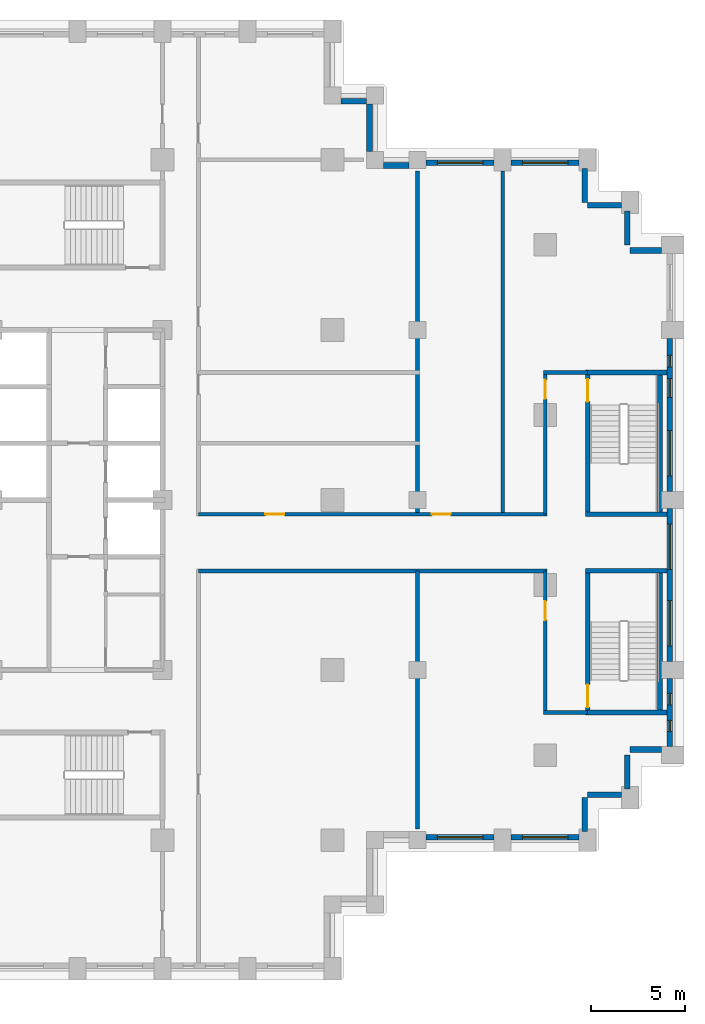
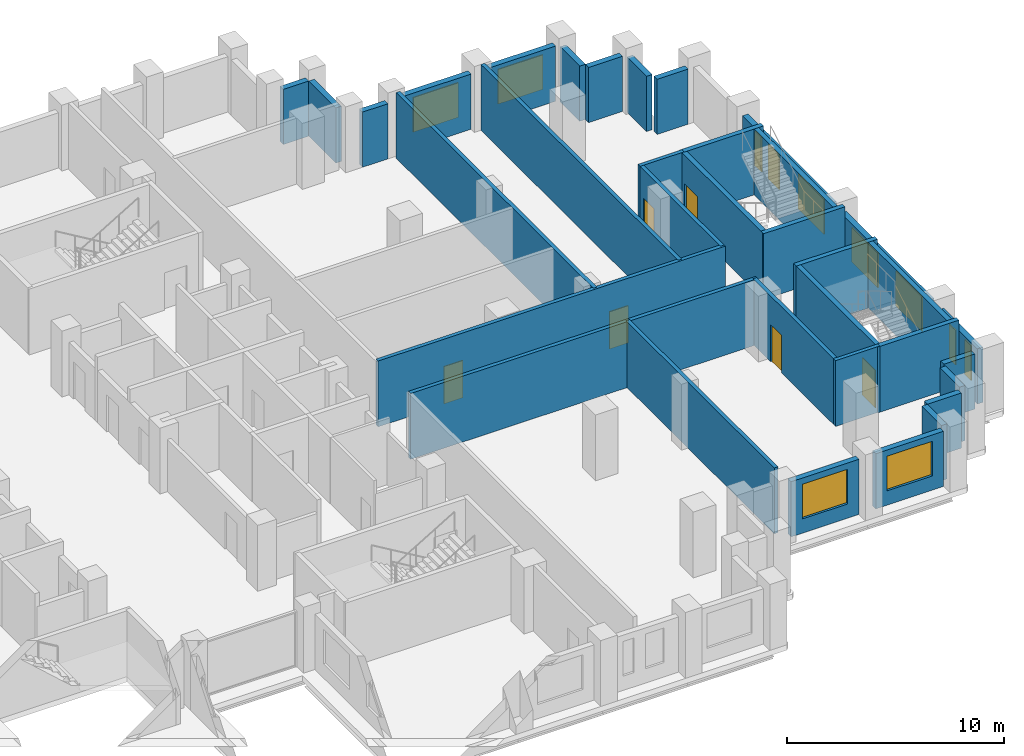
# One storey, part 11 of 15: 35 walls, 11 windows, 6 doors, 17 openings.
"""IFC4 building model written with IfcOpenShell, lengths in metres."""

from ifc_helpers import new_model, si_unit, direction, frame, frame_2d, origin, place, context, subcontext, project, spatial, rectangle, extrude, material, layer, layer_set, type_object, element, fill, save


model = new_model("IFC4")

# Units and contexts
model_context = context("Model", 3, precision=1e-05, world=origin(), true_north=direction((0.0, 1.0)))
body_context = subcontext(model_context, "Body", "Model", "MODEL_VIEW")
ifc_project = project(units=[si_unit("LENGTHUNIT", "METRE"), si_unit("AREAUNIT", "SQUARE_METRE"), si_unit("VOLUMEUNIT", "CUBIC_METRE"), si_unit("PLANEANGLEUNIT", "RADIAN"), si_unit("MASSUNIT", "GRAM", prefix="KILO")], contexts=[model_context])

# Site, building, storey
site_placement = place(None, origin())
site = spatial("IfcSite", under=ifc_project, at=site_placement, CompositionType="ELEMENT")
building_placement = place(site_placement, origin())
building = spatial("IfcBuilding", under=site, at=building_placement, Name="Corbelhall Arena Tower", CompositionType="ELEMENT")
storey_placement = place(building_placement, frame((0.0, 0.0, 80.0)))
storey = spatial("IfcBuildingStorey", under=building, at=storey_placement, Name="L12", CompositionType="ELEMENT", Elevation=80.0)

# Walls
ifc_material_1 = material(Name="Precast concrete C40/50 with granite facing", Category="masonry")
ifc_layer_1 = layer(ifc_material_1, 0.300048828125)
ifc_layer_set_1 = layer_set([ifc_layer_1], Name="EV-IW1 Infill panel 300")
wall_type_1 = type_object("IfcWallType", Name="EV-IW1 Infill panel 300", PredefinedType="SOLIDWALL", material=ifc_layer_set_1)
for number, where, z_axis, x_axis, name in (
    (1, (35.85009765625, -17.550048828125, 0.0), (0.0, 0.0, 1.0), (0.0, 1.0, 0.0), "Infill panel IW1"),
    (2, (37.800048828125, -15.60009765625, 0.0), (0.0, 0.0, 1.0), (-1.0, 0.0, 0.0), "Infill panel IW1"),
    (3, (38.10009765625, -15.300048828125, 0.0), (0.0, 0.0, 1.0), (0.0, 1.0, 0.0), "Infill panel IW1"),
):
    element("IfcWall", number, at=place(storey_placement, frame(where, z_axis=z_axis, x_axis=x_axis)), inside=storey, type_object=wall_type_1, Name=name, PredefinedType="SOLIDWALL", context=body_context, shape_type="SweptSolid", body=[
        extrude(rectangle(XDim=1.800048828125, YDim=0.300048828125, at=frame_2d((0.89990234375, 0.0))), origin(), (0.0, 0.0, 1.0), 3.10009765625),
    ])
for number, where, z_axis, x_axis, name in (
    (4, (39.89990234375, -13.199951171875, 0.0), (0.0, 0.0, 1.0), (-1.0, 0.0, 0.0), "Infill panel IW1"),
    (5, (39.89990234375, 13.199951171875, 0.0), (0.0, 0.0, 1.0), (-1.0, 0.0, 0.0), "Infill panel IW1"),
):
    element("IfcWall", number, at=place(storey_placement, frame(where, z_axis=z_axis, x_axis=x_axis)), inside=storey, type_object=wall_type_1, Name=name, PredefinedType="SOLIDWALL", context=body_context, shape_type="SweptSolid", body=[
        extrude(rectangle(XDim=1.64990234375, YDim=0.300048828125, at=frame_2d((0.824951171875, 0.0))), origin(), (0.0, 0.0, 1.0), 3.10009765625),
    ])
for number, where, z_axis, x_axis, name in (
    (6, (38.10009765625, 15.300048828125, 0.0), (0.0, 0.0, 1.0), (0.0, -1.0, 0.0), "Infill panel IW1"),
    (7, (37.800048828125, 15.60009765625, 0.0), (0.0, 0.0, 1.0), (-1.0, 0.0, 0.0), "Infill panel IW1"),
    (8, (35.85009765625, 17.550048828125, 0.0), (0.0, 0.0, 1.0), (0.0, -1.0, 0.0), "Infill panel IW1"),
):
    element("IfcWall", number, at=place(storey_placement, frame(where, z_axis=z_axis, x_axis=x_axis)), inside=storey, type_object=wall_type_1, Name=name, PredefinedType="SOLIDWALL", context=body_context, shape_type="SweptSolid", body=[
        extrude(rectangle(XDim=1.800048828125, YDim=0.300048828125, at=frame_2d((0.89990234375, 0.0))), origin(), (0.0, 0.0, 1.0), 3.10009765625),
    ])

# Wall, opening, window
wall_1_placement = place(storey_placement, frame((27.449951171875, -17.85009765625, 0.0), z_axis=(0.0, 0.0, 1.0), x_axis=(1.0, 0.0, 0.0)))
wall_1 = element("IfcWall", 9, at=wall_1_placement, inside=storey, type_object=wall_type_1, Name="Infill panel IW1", PredefinedType="SOLIDWALL", context=body_context, shape_type="SweptSolid", body=[
    extrude(rectangle(XDim=3.60009765625, YDim=0.300048828125, at=frame_2d((1.800048828125, 0.0))), origin(), (0.0, 0.0, 1.0), 3.10009765625),
])
opening_1_placement = place(wall_1_placement, frame((0.60009765625, 0.0, 0.800048828125)))
opening_1 = element("IfcOpeningElement", 10, at=opening_1_placement, cuts=wall_1, Name="Opening WN1", PredefinedType="OPENING", context=body_context, shape_type="SweptSolid", body=[
    extrude(rectangle(XDim=2.39990234375, YDim=1.949951171875, at=frame_2d((1.199951171875, 0.97509765625))), frame((0.0, 0.14990234375, 0.0), z_axis=(0.0, -1.0, 0.0), x_axis=(1.0, 0.0, 0.0)), (0.0, 0.0, 1.0), 0.300048828125),
])
ifc_material_2 = material(Name="Aluminium black anodised", Category="aluminium")
window_type_1 = type_object("IfcWindowType", Name="EV-WN1 Office window", PartitioningType="SINGLE_PANEL", PredefinedType="WINDOW", material=ifc_material_2)
window_1_placement = place(opening_1_placement, origin())
window_1 = element("IfcWindow", 11, at=window_1_placement, inside=storey, type_object=window_type_1, Name="Window WN1", OverallHeight=1.949951171875, OverallWidth=2.39990234375, PartitioningType="SINGLE_PANEL", PredefinedType="WINDOW", context=body_context, shape_type="SweptSolid", body=[
    extrude(rectangle(XDim=2.39990234375, YDim=1.949951171875, at=frame_2d((1.199951171875, 0.97509765625))), frame((0.0, 0.030029296875, 0.0), z_axis=(0.0, -1.0, 0.0), x_axis=(1.0, 0.0, 0.0)), (0.0, 0.0, 1.0), 0.06005859375),
])
fill(opening_1, window_1)

wall_2_placement = place(storey_placement, frame((31.949951171875, -17.85009765625, 0.0), z_axis=(0.0, 0.0, 1.0), x_axis=(1.0, 0.0, 0.0)))
wall_2 = element("IfcWall", 12, at=wall_2_placement, inside=storey, type_object=wall_type_1, Name="Infill panel IW1", PredefinedType="SOLIDWALL", context=body_context, shape_type="SweptSolid", body=[
    extrude(rectangle(XDim=3.60009765625, YDim=0.300048828125, at=frame_2d((1.800048828125, 0.0))), origin(), (0.0, 0.0, 1.0), 3.10009765625),
])
opening_2_placement = place(wall_2_placement, frame((0.60009765625, 0.0, 0.800048828125)))
opening_2 = element("IfcOpeningElement", 13, at=opening_2_placement, cuts=wall_2, Name="Opening WN1", PredefinedType="OPENING", context=body_context, shape_type="SweptSolid", body=[
    extrude(rectangle(XDim=2.39990234375, YDim=1.949951171875, at=frame_2d((1.199951171875, 0.97509765625))), frame((0.0, 0.14990234375, 0.0), z_axis=(0.0, -1.0, 0.0), x_axis=(1.0, 0.0, 0.0)), (0.0, 0.0, 1.0), 0.300048828125),
])
window_2_placement = place(opening_2_placement, origin())
window_2 = element("IfcWindow", 14, at=window_2_placement, inside=storey, type_object=window_type_1, Name="Window WN1", OverallHeight=1.949951171875, OverallWidth=2.39990234375, PartitioningType="SINGLE_PANEL", PredefinedType="WINDOW", context=body_context, shape_type="SweptSolid", body=[
    extrude(rectangle(XDim=2.39990234375, YDim=1.949951171875, at=frame_2d((1.199951171875, 0.97509765625))), frame((0.0, 0.030029296875, 0.0), z_axis=(0.0, -1.0, 0.0), x_axis=(1.0, 0.0, 0.0)), (0.0, 0.0, 1.0), 0.06005859375),
])
fill(opening_2, window_2)

# Wall, openings, windows
wall_3_placement = place(storey_placement, frame((40.35009765625, -13.050048828125, 0.0), z_axis=(0.0, 0.0, 1.0), x_axis=(0.0, 1.0, 0.0)))
wall_3 = element("IfcWall", 15, at=wall_3_placement, inside=storey, type_object=wall_type_1, Name="Infill panel IW1", PredefinedType="SOLIDWALL", context=body_context, shape_type="SweptSolid", body=[
    extrude(rectangle(XDim=3.60009765625, YDim=0.300048828125, at=frame_2d((1.800048828125, 0.0))), origin(), (0.0, 0.0, 1.0), 3.10009765625),
])
opening_3_placement = place(wall_3_placement, frame((0.78759765625, 0.0, 0.800048828125)))
opening_3 = element("IfcOpeningElement", 16, at=opening_3_placement, cuts=wall_3, Name="Opening WN5", PredefinedType="OPENING", context=body_context, shape_type="SweptSolid", body=[
    extrude(rectangle(XDim=0.60009765625, YDim=1.949951171875, at=frame_2d((0.300048828125, 0.97509765625))), frame((0.0, 0.14990234375, 0.0), z_axis=(0.0, -1.0, 0.0), x_axis=(1.0, 0.0, 0.0)), (0.0, 0.0, 1.0), 0.300048828125),
])
opening_4_placement = place(wall_3_placement, frame((2.21240234375, 0.0, 0.800048828125)))
opening_4 = element("IfcOpeningElement", 17, at=opening_4_placement, cuts=wall_3, Name="Opening WN5", PredefinedType="OPENING", context=body_context, shape_type="SweptSolid", body=[
    extrude(rectangle(XDim=0.60009765625, YDim=1.949951171875, at=frame_2d((0.300048828125, 0.97509765625))), frame((0.0, 0.14990234375, 0.0), z_axis=(0.0, -1.0, 0.0), x_axis=(1.0, 0.0, 0.0)), (0.0, 0.0, 1.0), 0.300048828125),
])
window_type_2 = type_object("IfcWindowType", Name="EV-WN5 Office window 600", PartitioningType="SINGLE_PANEL", PredefinedType="WINDOW", material=ifc_material_2)
window_3_placement = place(opening_3_placement, origin())
window_3 = element("IfcWindow", 18, at=window_3_placement, inside=storey, type_object=window_type_2, Name="Window WN5", OverallHeight=1.949951171875, OverallWidth=0.60009765625, PartitioningType="SINGLE_PANEL", PredefinedType="WINDOW", context=body_context, shape_type="SweptSolid", body=[
    extrude(rectangle(XDim=0.60009765625, YDim=1.949951171875, at=frame_2d((0.300048828125, 0.97509765625))), frame((0.0, 0.030029296875, 0.0), z_axis=(0.0, -1.0, 0.0), x_axis=(1.0, 0.0, 0.0)), (0.0, 0.0, 1.0), 0.06005859375),
])
fill(opening_3, window_3)
window_4_placement = place(opening_4_placement, origin())
window_4 = element("IfcWindow", 19, at=window_4_placement, inside=storey, type_object=window_type_2, Name="Window WN5", OverallHeight=1.949951171875, OverallWidth=0.60009765625, PartitioningType="SINGLE_PANEL", PredefinedType="WINDOW", context=body_context, shape_type="SweptSolid", body=[
    extrude(rectangle(XDim=0.60009765625, YDim=1.949951171875, at=frame_2d((0.300048828125, 0.97509765625))), frame((0.0, 0.030029296875, 0.0), z_axis=(0.0, -1.0, 0.0), x_axis=(1.0, 0.0, 0.0)), (0.0, 0.0, 1.0), 0.06005859375),
])
fill(opening_4, window_4)

wall_4_placement = place(storey_placement, frame((40.35009765625, -8.550048828125, 0.0), z_axis=(0.0, 0.0, 1.0), x_axis=(0.0, 1.0, 0.0)))
wall_4 = element("IfcWall", 20, at=wall_4_placement, inside=storey, type_object=wall_type_1, Name="Infill panel IW1", PredefinedType="SOLIDWALL", context=body_context, shape_type="SweptSolid", body=[
    extrude(rectangle(XDim=8.10009765625, YDim=0.300048828125, at=frame_2d((4.050048828125, 0.0))), origin(), (0.0, 0.0, 1.0), 3.10009765625),
])
opening_5_placement = place(wall_4_placement, frame((0.824951171875, 0.0, 0.800048828125)))
opening_5 = element("IfcOpeningElement", 21, at=opening_5_placement, cuts=wall_4, Name="Opening WN1", PredefinedType="OPENING", context=body_context, shape_type="SweptSolid", body=[
    extrude(rectangle(XDim=2.39990234375, YDim=1.949951171875, at=frame_2d((1.199951171875, 0.97509765625))), frame((0.0, 0.14990234375, 0.0), z_axis=(0.0, -1.0, 0.0), x_axis=(1.0, 0.0, 0.0)), (0.0, 0.0, 1.0), 0.300048828125),
])
opening_6_placement = place(wall_4_placement, frame((4.875, 0.0, 0.800048828125)))
opening_6 = element("IfcOpeningElement", 22, at=opening_6_placement, cuts=wall_4, Name="Opening WN1", PredefinedType="OPENING", context=body_context, shape_type="SweptSolid", body=[
    extrude(rectangle(XDim=2.39990234375, YDim=1.949951171875, at=frame_2d((1.199951171875, 0.97509765625))), frame((0.0, 0.14990234375, 0.0), z_axis=(0.0, -1.0, 0.0), x_axis=(1.0, 0.0, 0.0)), (0.0, 0.0, 1.0), 0.300048828125),
])
window_5_placement = place(opening_5_placement, origin())
window_5 = element("IfcWindow", 23, at=window_5_placement, inside=storey, type_object=window_type_1, Name="Window WN1", OverallHeight=1.949951171875, OverallWidth=2.39990234375, PartitioningType="SINGLE_PANEL", PredefinedType="WINDOW", context=body_context, shape_type="SweptSolid", body=[
    extrude(rectangle(XDim=2.39990234375, YDim=1.949951171875, at=frame_2d((1.199951171875, 0.97509765625))), frame((0.0, 0.030029296875, 0.0), z_axis=(0.0, -1.0, 0.0), x_axis=(1.0, 0.0, 0.0)), (0.0, 0.0, 1.0), 0.06005859375),
])
fill(opening_5, window_5)
window_6_placement = place(opening_6_placement, origin())
window_6 = element("IfcWindow", 24, at=window_6_placement, inside=storey, type_object=window_type_1, Name="Window WN1", OverallHeight=1.949951171875, OverallWidth=2.39990234375, PartitioningType="SINGLE_PANEL", PredefinedType="WINDOW", context=body_context, shape_type="SweptSolid", body=[
    extrude(rectangle(XDim=2.39990234375, YDim=1.949951171875, at=frame_2d((1.199951171875, 0.97509765625))), frame((0.0, 0.030029296875, 0.0), z_axis=(0.0, -1.0, 0.0), x_axis=(1.0, 0.0, 0.0)), (0.0, 0.0, 1.0), 0.06005859375),
])
fill(opening_6, window_6)

wall_5_placement = place(storey_placement, frame((40.35009765625, 0.449951171875, 0.0), z_axis=(0.0, 0.0, 1.0), x_axis=(0.0, 1.0, 0.0)))
wall_5 = element("IfcWall", 25, at=wall_5_placement, inside=storey, type_object=wall_type_1, Name="Infill panel IW1", PredefinedType="SOLIDWALL", context=body_context, shape_type="SweptSolid", body=[
    extrude(rectangle(XDim=8.10009765625, YDim=0.300048828125, at=frame_2d((4.050048828125, 0.0))), origin(), (0.0, 0.0, 1.0), 3.10009765625),
])
opening_7_placement = place(wall_5_placement, frame((0.824951171875, 0.0, 0.800048828125)))
opening_7 = element("IfcOpeningElement", 26, at=opening_7_placement, cuts=wall_5, Name="Opening WN1", PredefinedType="OPENING", context=body_context, shape_type="SweptSolid", body=[
    extrude(rectangle(XDim=2.39990234375, YDim=1.949951171875, at=frame_2d((1.199951171875, 0.97509765625))), frame((0.0, 0.14990234375, 0.0), z_axis=(0.0, -1.0, 0.0), x_axis=(1.0, 0.0, 0.0)), (0.0, 0.0, 1.0), 0.300048828125),
])
opening_8_placement = place(wall_5_placement, frame((4.97509765625, 0.0, 0.800048828125)))
opening_8 = element("IfcOpeningElement", 27, at=opening_8_placement, cuts=wall_5, Name="Opening WN6", PredefinedType="OPENING", context=body_context, shape_type="SweptSolid", body=[
    extrude(rectangle(XDim=1.0, YDim=1.949951171875, at=frame_2d((0.5, 0.97509765625))), frame((0.0, 0.14990234375, 0.0), z_axis=(0.0, -1.0, 0.0), x_axis=(1.0, 0.0, 0.0)), (0.0, 0.0, 1.0), 0.300048828125),
])
opening_9_placement = place(wall_5_placement, frame((6.60009765625, 0.0, 0.800048828125)))
opening_9 = element("IfcOpeningElement", 28, at=opening_9_placement, cuts=wall_5, Name="Opening WN5", PredefinedType="OPENING", context=body_context, shape_type="SweptSolid", body=[
    extrude(rectangle(XDim=0.60009765625, YDim=1.949951171875, at=frame_2d((0.300048828125, 0.97509765625))), frame((0.0, 0.14990234375, 0.0), z_axis=(0.0, -1.0, 0.0), x_axis=(1.0, 0.0, 0.0)), (0.0, 0.0, 1.0), 0.300048828125),
])
window_7_placement = place(opening_7_placement, origin())
window_7 = element("IfcWindow", 29, at=window_7_placement, inside=storey, type_object=window_type_1, Name="Window WN1", OverallHeight=1.949951171875, OverallWidth=2.39990234375, PartitioningType="SINGLE_PANEL", PredefinedType="WINDOW", context=body_context, shape_type="SweptSolid", body=[
    extrude(rectangle(XDim=2.39990234375, YDim=1.949951171875, at=frame_2d((1.199951171875, 0.97509765625))), frame((0.0, 0.030029296875, 0.0), z_axis=(0.0, -1.0, 0.0), x_axis=(1.0, 0.0, 0.0)), (0.0, 0.0, 1.0), 0.06005859375),
])
fill(opening_7, window_7)
window_8_placement = place(opening_9_placement, origin())
window_8 = element("IfcWindow", 30, at=window_8_placement, inside=storey, type_object=window_type_2, Name="Window WN5", OverallHeight=1.949951171875, OverallWidth=0.60009765625, PartitioningType="SINGLE_PANEL", PredefinedType="WINDOW", context=body_context, shape_type="SweptSolid", body=[
    extrude(rectangle(XDim=0.60009765625, YDim=1.949951171875, at=frame_2d((0.300048828125, 0.97509765625))), frame((0.0, 0.030029296875, 0.0), z_axis=(0.0, -1.0, 0.0), x_axis=(1.0, 0.0, 0.0)), (0.0, 0.0, 1.0), 0.06005859375),
])
fill(opening_9, window_8)
window_type_3 = type_object("IfcWindowType", Name="EV-WN6 Office window 1000", PartitioningType="SINGLE_PANEL", PredefinedType="WINDOW", material=ifc_material_2)
window_9_placement = place(opening_8_placement, origin())
window_9 = element("IfcWindow", 31, at=window_9_placement, inside=storey, type_object=window_type_3, Name="Window WN6", OverallHeight=1.949951171875, OverallWidth=1.0, PartitioningType="SINGLE_PANEL", PredefinedType="WINDOW", context=body_context, shape_type="SweptSolid", body=[
    extrude(rectangle(XDim=1.0, YDim=1.949951171875, at=frame_2d((0.5, 0.97509765625))), frame((0.0, 0.030029296875, 0.0), z_axis=(0.0, -1.0, 0.0), x_axis=(1.0, 0.0, 0.0)), (0.0, 0.0, 1.0), 0.06005859375),
])
fill(opening_8, window_9)

# Wall, opening, window
wall_6_placement = place(storey_placement, frame((35.550048828125, 17.85009765625, 0.0), z_axis=(0.0, 0.0, 1.0), x_axis=(-1.0, 0.0, 0.0)))
wall_6 = element("IfcWall", 32, at=wall_6_placement, inside=storey, type_object=wall_type_1, Name="Infill panel IW1", PredefinedType="SOLIDWALL", context=body_context, shape_type="SweptSolid", body=[
    extrude(rectangle(XDim=3.60009765625, YDim=0.300048828125, at=frame_2d((1.800048828125, 0.0))), origin(), (0.0, 0.0, 1.0), 3.10009765625),
])
opening_10_placement = place(wall_6_placement, frame((0.60009765625, 0.0, 0.800048828125)))
opening_10 = element("IfcOpeningElement", 33, at=opening_10_placement, cuts=wall_6, Name="Opening WN1", PredefinedType="OPENING", context=body_context, shape_type="SweptSolid", body=[
    extrude(rectangle(XDim=2.39990234375, YDim=1.949951171875, at=frame_2d((1.199951171875, 0.97509765625))), frame((0.0, 0.14990234375, 0.0), z_axis=(0.0, -1.0, 0.0), x_axis=(1.0, 0.0, 0.0)), (0.0, 0.0, 1.0), 0.300048828125),
])
window_10_placement = place(opening_10_placement, origin())
window_10 = element("IfcWindow", 34, at=window_10_placement, inside=storey, type_object=window_type_1, Name="Window WN1", OverallHeight=1.949951171875, OverallWidth=2.39990234375, PartitioningType="SINGLE_PANEL", PredefinedType="WINDOW", context=body_context, shape_type="SweptSolid", body=[
    extrude(rectangle(XDim=2.39990234375, YDim=1.949951171875, at=frame_2d((1.199951171875, 0.97509765625))), frame((0.0, 0.030029296875, 0.0), z_axis=(0.0, -1.0, 0.0), x_axis=(1.0, 0.0, 0.0)), (0.0, 0.0, 1.0), 0.06005859375),
])
fill(opening_10, window_10)

wall_7_placement = place(storey_placement, frame((31.050048828125, 17.85009765625, 0.0), z_axis=(0.0, 0.0, 1.0), x_axis=(-1.0, 0.0, 0.0)))
wall_7 = element("IfcWall", 35, at=wall_7_placement, inside=storey, type_object=wall_type_1, Name="Infill panel IW1", PredefinedType="SOLIDWALL", context=body_context, shape_type="SweptSolid", body=[
    extrude(rectangle(XDim=3.60009765625, YDim=0.300048828125, at=frame_2d((1.800048828125, 0.0))), origin(), (0.0, 0.0, 1.0), 3.10009765625),
])
opening_11_placement = place(wall_7_placement, frame((0.60009765625, 0.0, 0.800048828125)))
opening_11 = element("IfcOpeningElement", 36, at=opening_11_placement, cuts=wall_7, Name="Opening WN1", PredefinedType="OPENING", context=body_context, shape_type="SweptSolid", body=[
    extrude(rectangle(XDim=2.39990234375, YDim=1.949951171875, at=frame_2d((1.199951171875, 0.97509765625))), frame((0.0, 0.14990234375, 0.0), z_axis=(0.0, -1.0, 0.0), x_axis=(1.0, 0.0, 0.0)), (0.0, 0.0, 1.0), 0.300048828125),
])
window_11_placement = place(opening_11_placement, origin())
window_11 = element("IfcWindow", 37, at=window_11_placement, inside=storey, type_object=window_type_1, Name="Window WN1", OverallHeight=1.949951171875, OverallWidth=2.39990234375, PartitioningType="SINGLE_PANEL", PredefinedType="WINDOW", context=body_context, shape_type="SweptSolid", body=[
    extrude(rectangle(XDim=2.39990234375, YDim=1.949951171875, at=frame_2d((1.199951171875, 0.97509765625))), frame((0.0, 0.030029296875, 0.0), z_axis=(0.0, -1.0, 0.0), x_axis=(1.0, 0.0, 0.0)), (0.0, 0.0, 1.0), 0.06005859375),
])
fill(opening_11, window_11)

# Walls
wall_8_placement = place(storey_placement, frame((26.550048828125, 17.699951171875, 0.0), z_axis=(0.0, 0.0, 1.0), x_axis=(-1.0, 0.0, 0.0)))
element("IfcWall", 38, at=wall_8_placement, inside=storey, type_object=wall_type_1, Name="Infill panel IW1", PredefinedType="SOLIDWALL", context=body_context, shape_type="SweptSolid", body=[
    extrude(rectangle(XDim=1.35009765625, YDim=0.300048828125, at=frame_2d((0.675048828125, 0.0))), origin(), (0.0, 0.0, 1.0), 3.10009765625),
])
wall_9_placement = place(storey_placement, frame((24.449951171875, 18.449951171875, 0.0), z_axis=(0.0, 0.0, 1.0), x_axis=(0.0, 1.0, 0.0)))
element("IfcWall", 39, at=wall_9_placement, inside=storey, type_object=wall_type_1, Name="Infill panel IW1", PredefinedType="SOLIDWALL", context=body_context, shape_type="SweptSolid", body=[
    extrude(rectangle(XDim=2.5, YDim=0.300048828125, at=frame_2d((1.25, 0.0))), origin(), (0.0, 0.0, 1.0), 3.10009765625),
])
wall_10_placement = place(storey_placement, frame((24.300048828125, 21.10009765625, 0.0), z_axis=(0.0, 0.0, 1.0), x_axis=(-1.0, 0.0, 0.0)))
element("IfcWall", 40, at=wall_10_placement, inside=storey, type_object=wall_type_1, Name="Infill panel IW1", PredefinedType="SOLIDWALL", context=body_context, shape_type="SweptSolid", body=[
    extrude(rectangle(XDim=1.35009765625, YDim=0.300048828125, at=frame_2d((0.675048828125, 0.0))), origin(), (0.0, 0.0, 1.0), 3.10009765625),
])

# Wall, openings, doors
ifc_material_3 = material(Name="Gypsum board on steel stud, acoustic", Category="steel")
ifc_layer_2 = layer(ifc_material_3, 0.199951171875)
ifc_layer_set_2 = layer_set([ifc_layer_2], Name="IN-W-DM200")
wall_type_2 = type_object("IfcWallType", Name="IN-W-DM200", PredefinedType="PARTITIONING", material=ifc_layer_set_2)
wall_11_placement = place(storey_placement, frame((15.39990234375, -0.75, 0.0), z_axis=(0.0, 0.0, 1.0), x_axis=(1.0, 0.0, 0.0)))
wall_11 = element("IfcWall", 41, at=wall_11_placement, inside=storey, type_object=wall_type_2, Name="Partition 029", PredefinedType="PARTITIONING", context=body_context, shape_type="SweptSolid", body=[
    extrude(rectangle(XDim=18.4501953125, YDim=0.199951171875, at=frame_2d((9.22509765625, 0.0))), origin(), (0.0, 0.0, 1.0), 3.699951171875),
])
opening_12_placement = place(wall_11_placement, frame((3.550048828125, 0.0, 0.0)))
opening_12 = element("IfcOpeningElement", 42, at=opening_12_placement, cuts=wall_11, Name="Opening 02032", PredefinedType="OPENING", context=body_context, shape_type="SweptSolid", body=[
    extrude(rectangle(XDim=1.0, YDim=2.10009765625, at=frame_2d((0.5, 1.050048828125))), frame((0.0, 0.10009765625, 0.0), z_axis=(0.0, -1.0, 0.0), x_axis=(1.0, 0.0, 0.0)), (0.0, 0.0, 1.0), 0.199951171875),
])
opening_13_placement = place(wall_11_placement, frame((12.35009765625, 0.0, 0.0)))
opening_13 = element("IfcOpeningElement", 43, at=opening_13_placement, cuts=wall_11, Name="Opening 02040", PredefinedType="OPENING", context=body_context, shape_type="SweptSolid", body=[
    extrude(rectangle(XDim=1.0, YDim=2.10009765625, at=frame_2d((0.5, 1.050048828125))), frame((0.0, 0.10009765625, 0.0), z_axis=(0.0, -1.0, 0.0), x_axis=(1.0, 0.0, 0.0)), (0.0, 0.0, 1.0), 0.199951171875),
])
ifc_material_4 = material(Name="Steel door set", Category="steel")
door_type_1 = type_object("IfcDoorType", Name="IN-D-SW100", OperationType="NOTDEFINED", PredefinedType="DOOR", material=ifc_material_4)
door_1_placement = place(opening_12_placement, origin())
door_1 = element("IfcDoor", 44, at=door_1_placement, inside=storey, type_object=door_type_1, Name="Door 032", OperationType="SINGLE_SWING_LEFT", OverallHeight=2.10009765625, OverallWidth=1.0, PredefinedType="DOOR", context=body_context, shape_type="SweptSolid", body=[
    extrude(rectangle(XDim=1.0, YDim=2.10009765625, at=frame_2d((0.5, 1.050048828125))), frame((0.0, 0.02490234375, 0.0), z_axis=(0.0, -1.0, 0.0), x_axis=(1.0, 0.0, 0.0)), (0.0, 0.0, 1.0), 0.050048828125),
])
fill(opening_12, door_1)
door_2_placement = place(opening_13_placement, origin())
door_2 = element("IfcDoor", 45, at=door_2_placement, inside=storey, type_object=door_type_1, Name="Door 040", OperationType="SINGLE_SWING_LEFT", OverallHeight=2.10009765625, OverallWidth=1.0, PredefinedType="DOOR", context=body_context, shape_type="SweptSolid", body=[
    extrude(rectangle(XDim=1.0, YDim=2.10009765625, at=frame_2d((0.5, 1.050048828125))), frame((0.0, 0.02490234375, 0.0), z_axis=(0.0, -1.0, 0.0), x_axis=(1.0, 0.0, 0.0)), (0.0, 0.0, 1.0), 0.050048828125),
])
fill(opening_13, door_2)

# Walls
wall_12_placement = place(storey_placement, frame((27.0, -3.75, 0.0), z_axis=(0.0, 0.0, 1.0), x_axis=(0.0, -1.0, 0.0)))
element("IfcWall", 46, at=wall_12_placement, inside=storey, type_object=wall_type_2, Name="Partition 034", PredefinedType="PARTITIONING", context=body_context, shape_type="SweptSolid", body=[
    extrude(rectangle(XDim=13.64990234375, YDim=0.199951171875, at=frame_2d((6.824951171875, 0.0))), origin(), (0.0, 0.0, 1.0), 3.699951171875),
])
wall_13_placement = place(storey_placement, frame((27.0, 17.39990234375, 0.0), z_axis=(0.0, 0.0, 1.0), x_axis=(0.0, -1.0, 0.0)))
element("IfcWall", 47, at=wall_13_placement, inside=storey, type_object=wall_type_2, Name="Partition 035", PredefinedType="PARTITIONING", context=body_context, shape_type="SweptSolid", body=[
    extrude(rectangle(XDim=18.14990234375, YDim=0.199951171875, at=frame_2d((9.074951171875, 0.0))), origin(), (0.0, 0.0, 1.0), 3.699951171875),
])
wall_14_placement = place(storey_placement, frame((33.85009765625, -3.75, 0.0), z_axis=(0.0, 0.0, 1.0), x_axis=(-1.0, 0.0, 0.0)))
element("IfcWall", 48, at=wall_14_placement, inside=storey, type_object=wall_type_2, Name="Partition 036", PredefinedType="PARTITIONING", context=body_context, shape_type="SweptSolid", body=[
    extrude(rectangle(XDim=18.4501953125, YDim=0.199951171875, at=frame_2d((9.22509765625, 0.0))), origin(), (0.0, 0.0, 1.0), 3.699951171875),
])
wall_15_placement = place(storey_placement, frame((31.5, 17.39990234375, 0.0), z_axis=(0.0, 0.0, 1.0), x_axis=(0.0, -1.0, 0.0)))
element("IfcWall", 49, at=wall_15_placement, inside=storey, type_object=wall_type_2, Name="Partition 037", PredefinedType="PARTITIONING", context=body_context, shape_type="SweptSolid", body=[
    extrude(rectangle(XDim=18.14990234375, YDim=0.199951171875, at=frame_2d((9.074951171875, 0.0))), origin(), (0.0, 0.0, 1.0), 3.699951171875),
])
wall_16_placement = place(storey_placement, frame((33.64990234375, 6.75, 0.0), z_axis=(0.0, 0.0, 1.0), x_axis=(1.0, 0.0, 0.0)))
element("IfcWall", 50, at=wall_16_placement, inside=storey, type_object=wall_type_2, Name="Partition 038", PredefinedType="PARTITIONING", context=body_context, shape_type="SweptSolid", body=[
    extrude(rectangle(XDim=2.35009765625, YDim=0.199951171875, at=frame_2d((1.175048828125, 0.0))), origin(), (0.0, 0.0, 1.0), 3.699951171875),
])

# Wall, opening, door
wall_17_placement = place(storey_placement, frame((33.75, -11.25, 0.0), z_axis=(0.0, 0.0, 1.0), x_axis=(0.0, 1.0, 0.0)))
wall_17 = element("IfcWall", 51, at=wall_17_placement, inside=storey, type_object=wall_type_2, Name="Partition 039", PredefinedType="PARTITIONING", context=body_context, shape_type="SweptSolid", body=[
    extrude(rectangle(XDim=7.5, YDim=0.199951171875, at=frame_2d((3.75, 0.0))), origin(), (0.0, 0.0, 1.0), 3.699951171875),
])
opening_14_placement = place(wall_17_placement, frame((4.89990234375, 0.0, 0.0)))
opening_14 = element("IfcOpeningElement", 52, at=opening_14_placement, cuts=wall_17, Name="Opening 02042", PredefinedType="OPENING", context=body_context, shape_type="SweptSolid", body=[
    extrude(rectangle(XDim=1.0, YDim=2.10009765625, at=frame_2d((0.5, 1.050048828125))), frame((0.0, 0.10009765625, 0.0), z_axis=(0.0, -1.0, 0.0), x_axis=(1.0, 0.0, 0.0)), (0.0, 0.0, 1.0), 0.199951171875),
])
door_3_placement = place(opening_14_placement, origin())
door_3 = element("IfcDoor", 53, at=door_3_placement, inside=storey, type_object=door_type_1, Name="Door 042", OperationType="SINGLE_SWING_LEFT", OverallHeight=2.10009765625, OverallWidth=1.0, PredefinedType="DOOR", context=body_context, shape_type="SweptSolid", body=[
    extrude(rectangle(XDim=1.0, YDim=2.10009765625, at=frame_2d((0.5, 1.050048828125))), frame((0.0, 0.02490234375, 0.0), z_axis=(0.0, -1.0, 0.0), x_axis=(1.0, 0.0, 0.0)), (0.0, 0.0, 1.0), 0.050048828125),
])
fill(opening_14, door_3)

wall_18_placement = place(storey_placement, frame((33.75, -0.75, 0.0), z_axis=(0.0, 0.0, 1.0), x_axis=(0.0, 1.0, 0.0)))
wall_18 = element("IfcWall", 54, at=wall_18_placement, inside=storey, type_object=wall_type_2, Name="Partition 040", PredefinedType="PARTITIONING", context=body_context, shape_type="SweptSolid", body=[
    extrude(rectangle(XDim=7.5, YDim=0.199951171875, at=frame_2d((3.75, 0.0))), origin(), (0.0, 0.0, 1.0), 3.699951171875),
])
opening_15_placement = place(wall_18_placement, frame((6.10009765625, 0.0, 0.0)))
opening_15 = element("IfcOpeningElement", 55, at=opening_15_placement, cuts=wall_18, Name="Opening 02041", PredefinedType="OPENING", context=body_context, shape_type="SweptSolid", body=[
    extrude(rectangle(XDim=1.0, YDim=2.10009765625, at=frame_2d((0.5, 1.050048828125))), frame((0.0, 0.10009765625, 0.0), z_axis=(0.0, -1.0, 0.0), x_axis=(1.0, 0.0, 0.0)), (0.0, 0.0, 1.0), 0.199951171875),
])
door_4_placement = place(opening_15_placement, origin())
door_4 = element("IfcDoor", 56, at=door_4_placement, inside=storey, type_object=door_type_1, Name="Door 041", OperationType="SINGLE_SWING_RIGHT", OverallHeight=2.10009765625, OverallWidth=1.0, PredefinedType="DOOR", context=body_context, shape_type="SweptSolid", body=[
    extrude(rectangle(XDim=1.0, YDim=2.10009765625, at=frame_2d((0.5, 1.050048828125))), frame((0.0, 0.02490234375, 0.0), z_axis=(0.0, -1.0, 0.0), x_axis=(1.0, 0.0, 0.0)), (0.0, 0.0, 1.0), 0.050048828125),
])
fill(opening_15, door_4)

# Walls
wall_19_placement = place(storey_placement, frame((36.0, -11.25, 0.0), z_axis=(0.0, 0.0, 1.0), x_axis=(-1.0, 0.0, 0.0)))
element("IfcWall", 57, at=wall_19_placement, inside=storey, type_object=wall_type_2, Name="Partition 041", PredefinedType="PARTITIONING", context=body_context, shape_type="SweptSolid", body=[
    extrude(rectangle(XDim=2.35009765625, YDim=0.199951171875, at=frame_2d((1.175048828125, 0.0))), origin(), (0.0, 0.0, 1.0), 3.699951171875),
])
ifc_material_5 = material(Name="Concrete C40/50", Category="concrete")
ifc_layer_3 = layer(ifc_material_5, 0.25)
ifc_layer_set_3 = layer_set([ifc_layer_3], Name="IN-W-ST250")
wall_type_3 = type_object("IfcWallType", Name="IN-W-ST250", PredefinedType="SOLIDWALL", material=ifc_layer_set_3)
wall_20_placement = place(storey_placement, frame((35.875, -0.75, 0.0), z_axis=(0.0, 0.0, 1.0), x_axis=(1.0, 0.0, 0.0)))
element("IfcWall", 58, at=wall_20_placement, inside=storey, type_object=wall_type_3, Name="Shaft wall 101", PredefinedType="SOLIDWALL", context=body_context, shape_type="SweptSolid", body=[
    extrude(rectangle(XDim=4.324951171875, YDim=0.25, at=frame_2d((2.16259765625, 0.0))), origin(), (0.0, 0.0, 1.0), 3.699951171875),
])

# Wall, opening, door
wall_21_placement = place(storey_placement, frame((36.0, -11.375, 0.0), z_axis=(0.0, 0.0, 1.0), x_axis=(0.0, 1.0, 0.0)))
wall_21 = element("IfcWall", 59, at=wall_21_placement, inside=storey, type_object=wall_type_3, Name="Shaft wall 102", PredefinedType="SOLIDWALL", context=body_context, shape_type="SweptSolid", body=[
    extrude(rectangle(XDim=7.625, YDim=0.25, at=frame_2d((3.8125, 0.0))), origin(), (0.0, 0.0, 1.0), 3.699951171875),
])
opening_16_placement = place(wall_21_placement, frame((0.39990234375, 0.0, 0.0)))
opening_16 = element("IfcOpeningElement", 60, at=opening_16_placement, cuts=wall_21, Name="Opening 02020", PredefinedType="OPENING", context=body_context, shape_type="SweptSolid", body=[
    extrude(rectangle(XDim=1.199951171875, YDim=2.10009765625, at=frame_2d((0.60009765625, 1.050048828125))), frame((0.0, 0.125, 0.0), z_axis=(0.0, -1.0, 0.0), x_axis=(1.0, 0.0, 0.0)), (0.0, 0.0, 1.0), 0.25),
])
door_type_2 = type_object("IfcDoorType", Name="IN-D-ST120", OperationType="NOTDEFINED", PredefinedType="DOOR", material=ifc_material_4)
door_5_placement = place(opening_16_placement, origin())
door_5 = element("IfcDoor", 61, at=door_5_placement, inside=storey, type_object=door_type_2, Name="Door 020", OperationType="SINGLE_SWING_LEFT", OverallHeight=2.10009765625, OverallWidth=1.199951171875, PredefinedType="DOOR", context=body_context, shape_type="SweptSolid", body=[
    extrude(rectangle(XDim=1.199951171875, YDim=2.10009765625, at=frame_2d((0.60009765625, 1.050048828125))), frame((0.0, 0.02490234375, 0.0), z_axis=(0.0, -1.0, 0.0), x_axis=(1.0, 0.0, 0.0)), (0.0, 0.0, 1.0), 0.050048828125),
])
fill(opening_16, door_5)

wall_22_placement = place(storey_placement, frame((36.0, -0.75, 0.0), z_axis=(0.0, 0.0, 1.0), x_axis=(0.0, 1.0, 0.0)))
wall_22 = element("IfcWall", 62, at=wall_22_placement, inside=storey, type_object=wall_type_3, Name="Shaft wall 103", PredefinedType="SOLIDWALL", context=body_context, shape_type="SweptSolid", body=[
    extrude(rectangle(XDim=7.625, YDim=0.25, at=frame_2d((3.8125, 0.0))), origin(), (0.0, 0.0, 1.0), 3.699951171875),
])
opening_17_placement = place(wall_22_placement, frame((5.949951171875, 0.0, 0.0)))
opening_17 = element("IfcOpeningElement", 63, at=opening_17_placement, cuts=wall_22, Name="Opening 02021", PredefinedType="OPENING", context=body_context, shape_type="SweptSolid", body=[
    extrude(rectangle(XDim=1.199951171875, YDim=2.10009765625, at=frame_2d((0.60009765625, 1.050048828125))), frame((0.0, 0.125, 0.0), z_axis=(0.0, -1.0, 0.0), x_axis=(1.0, 0.0, 0.0)), (0.0, 0.0, 1.0), 0.25),
])
door_6_placement = place(opening_17_placement, origin())
door_6 = element("IfcDoor", 64, at=door_6_placement, inside=storey, type_object=door_type_2, Name="Door 021", OperationType="SINGLE_SWING_RIGHT", OverallHeight=2.10009765625, OverallWidth=1.199951171875, PredefinedType="DOOR", context=body_context, shape_type="SweptSolid", body=[
    extrude(rectangle(XDim=1.199951171875, YDim=2.10009765625, at=frame_2d((0.60009765625, 1.050048828125))), frame((0.0, 0.02490234375, 0.0), z_axis=(0.0, -1.0, 0.0), x_axis=(1.0, 0.0, 0.0)), (0.0, 0.0, 1.0), 0.050048828125),
])
fill(opening_17, door_6)

# Walls
for number, where, z_axis, x_axis, name in (
    (65, (36.0, 6.75, 0.0), (0.0, 0.0, 1.0), (1.0, 0.0, 0.0), "Shaft wall 104"),
    (66, (40.199951171875, -11.25, 0.0), (0.0, 0.0, 1.0), (-1.0, 0.0, 0.0), "Shaft wall 105"),
):
    element("IfcWall", number, at=place(storey_placement, frame(where, z_axis=z_axis, x_axis=x_axis)), inside=storey, type_object=wall_type_3, Name=name, PredefinedType="SOLIDWALL", context=body_context, shape_type="SweptSolid", body=[
        extrude(rectangle(XDim=4.199951171875, YDim=0.25, at=frame_2d((2.10009765625, 0.0))), origin(), (0.0, 0.0, 1.0), 3.699951171875),
    ])
wall_23_placement = place(storey_placement, frame((40.199951171875, -3.75, 0.0), z_axis=(0.0, 0.0, 1.0), x_axis=(-1.0, 0.0, 0.0)))
element("IfcWall", 67, at=wall_23_placement, inside=storey, type_object=wall_type_3, Name="Shaft wall 106", PredefinedType="SOLIDWALL", context=body_context, shape_type="SweptSolid", body=[
    extrude(rectangle(XDim=4.324951171875, YDim=0.25, at=frame_2d((2.16259765625, 0.0))), origin(), (0.0, 0.0, 1.0), 3.699951171875),
])
for number, where, z_axis, x_axis, name in (
    (68, (39.824951171875, -11.125, 0.0), (0.0, 0.0, 1.0), (0.0, 1.0, 0.0), "Shaft wall SD1 facade side"),
    (69, (39.824951171875, -0.625, 0.0), (0.0, 0.0, 1.0), (0.0, 1.0, 0.0), "Shaft wall SD2 facade side"),
):
    element("IfcWall", number, at=place(storey_placement, frame(where, z_axis=z_axis, x_axis=x_axis)), inside=storey, type_object=wall_type_3, Name=name, PredefinedType="SOLIDWALL", context=body_context, shape_type="SweptSolid", body=[
        extrude(rectangle(XDim=7.25, YDim=0.25, at=frame_2d((3.625, 0.0))), origin(), (0.0, 0.0, 1.0), 3.699951171875),
    ])

save(model, "model.ifc")
